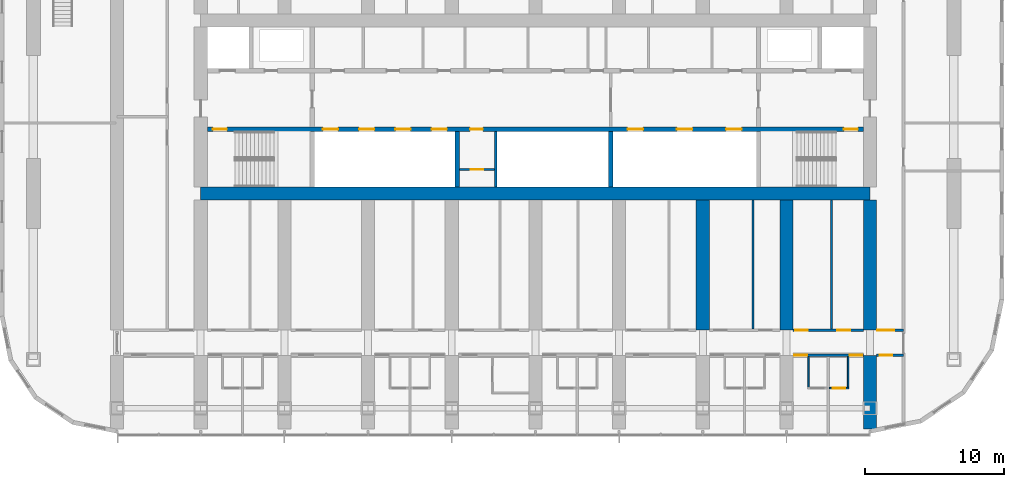
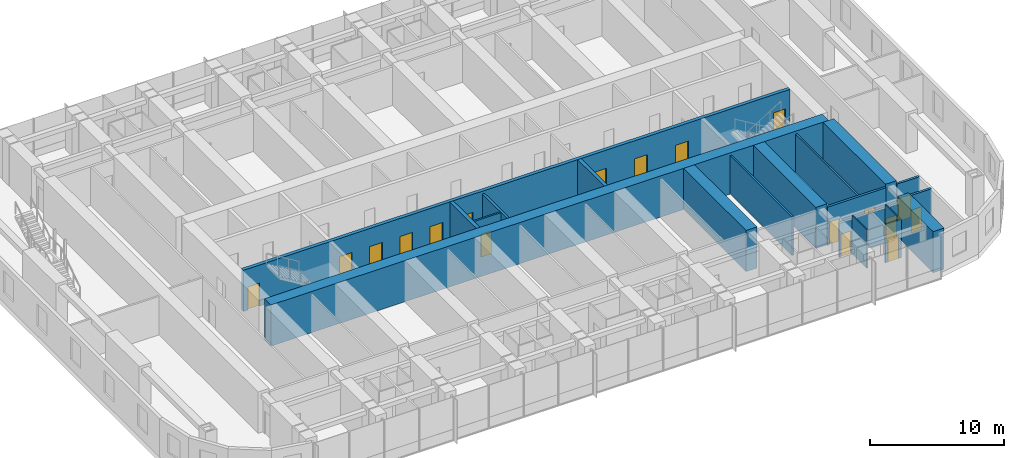
# One storey, part 13 of 25: 19 walls, 18 doors, 18 openings.
"""IFC4 building model written with IfcOpenShell, lengths in metres."""

from ifc_helpers import new_model, si_unit, direction, frame, frame_2d, origin, place, context, subcontext, project, spatial, polyline, rectangle, outline, extrude, material, layer, layer_set, type_object, element, fill, save


model = new_model("IFC4")

# Units and contexts
model_context = context("Model", 3, precision=1e-05, world=origin(), true_north=direction((0.0, 1.0)))
body_context = subcontext(model_context, "Body", "Model", "MODEL_VIEW")
ifc_project = project(units=[si_unit("LENGTHUNIT", "METRE"), si_unit("AREAUNIT", "SQUARE_METRE"), si_unit("VOLUMEUNIT", "CUBIC_METRE"), si_unit("PLANEANGLEUNIT", "RADIAN"), si_unit("MASSUNIT", "GRAM", prefix="KILO")], contexts=[model_context])

# Site, building, storey
site_placement = place(None, origin())
site = spatial("IfcSite", under=ifc_project, at=site_placement, CompositionType="ELEMENT")
building_placement = place(site_placement, origin())
building = spatial("IfcBuilding", under=site, at=building_placement, Name="Orbita Commons", CompositionType="ELEMENT")
storey_placement = place(building_placement, frame((0.0, 0.0, 99.39990234375)))
storey = spatial("IfcBuildingStorey", under=building, at=storey_placement, Name="L24", CompositionType="ELEMENT", Elevation=99.39990234375)

# Wall, openings, doors
ifc_material_1 = material(Name="Concrete C50/60", Category="concrete")
ifc_layer_1 = layer(ifc_material_1, 0.300048828125)
ifc_layer_set_1 = layer_set([ifc_layer_1], Name="Concrete C50/60")
wall_type_1 = type_object("IfcWallType", Name="Core inner wall 300 C50/60", PredefinedType="SHEAR", material=ifc_layer_set_1)
wall_1_placement = place(storey_placement, frame((18.47509765625, 30.39990234375, 0.0), z_axis=(0.0, 0.0, 1.0), x_axis=(1.0, 0.0, 0.0)))
wall_1 = element("IfcWall", 1, at=wall_1_placement, inside=storey, type_object=wall_type_1, Name="Lobby wall south L24", PredefinedType="SHEAR", context=body_context, shape_type="SweptSolid", body=[
    extrude(rectangle(XDim=47.0498046875, YDim=0.300048828125, at=frame_2d((23.52490234375, 0.0))), origin(), (0.0, 0.0, 1.0), 3.75),
])
opening_1_placement = place(wall_1_placement, frame((0.39990234375, 0.0, 0.0)))
opening_1 = element("IfcOpeningElement", 2, at=opening_1_placement, cuts=wall_1, Name="Opening D02", PredefinedType="OPENING", context=body_context, shape_type="SweptSolid", body=[
    extrude(rectangle(XDim=1.0, YDim=2.10009765625, at=frame_2d((0.5, 1.050048828125))), frame((0.0, 0.159912109375, 0.0), z_axis=(0.0, -1.0, 0.0), x_axis=(1.0, 0.0, 0.0)), (0.0, 0.0, 1.0), 0.320068359375),
])
opening_2_placement = place(wall_1_placement, frame((45.64990234375, 0.0, 0.0)))
opening_2 = element("IfcOpeningElement", 3, at=opening_2_placement, cuts=wall_1, Name="Opening D02", PredefinedType="OPENING", context=body_context, shape_type="SweptSolid", body=[
    extrude(rectangle(XDim=1.0, YDim=2.10009765625, at=frame_2d((0.5, 1.050048828125))), frame((0.0, 0.159912109375, 0.0), z_axis=(0.0, -1.0, 0.0), x_axis=(1.0, 0.0, 0.0)), (0.0, 0.0, 1.0), 0.320068359375),
])
opening_3_placement = place(wall_1_placement, frame((8.27490234375, 0.0, 0.0)))
opening_3 = element("IfcOpeningElement", 4, at=opening_3_placement, cuts=wall_1, Name="Opening LD02", PredefinedType="OPENING", context=body_context, shape_type="SweptSolid", body=[
    extrude(rectangle(XDim=1.10009765625, YDim=2.10009765625, at=frame_2d((0.550048828125, 1.050048828125))), frame((0.0, 0.159912109375, 0.0), z_axis=(0.0, -1.0, 0.0), x_axis=(1.0, 0.0, 0.0)), (0.0, 0.0, 1.0), 0.320068359375),
])
opening_4_placement = place(wall_1_placement, frame((10.875, 0.0, 0.0)))
opening_4 = element("IfcOpeningElement", 5, at=opening_4_placement, cuts=wall_1, Name="Opening LD02", PredefinedType="OPENING", context=body_context, shape_type="SweptSolid", body=[
    extrude(rectangle(XDim=1.10009765625, YDim=2.10009765625, at=frame_2d((0.550048828125, 1.050048828125))), frame((0.0, 0.159912109375, 0.0), z_axis=(0.0, -1.0, 0.0), x_axis=(1.0, 0.0, 0.0)), (0.0, 0.0, 1.0), 0.320068359375),
])
opening_5_placement = place(wall_1_placement, frame((13.47509765625, 0.0, 0.0)))
opening_5 = element("IfcOpeningElement", 6, at=opening_5_placement, cuts=wall_1, Name="Opening LD02", PredefinedType="OPENING", context=body_context, shape_type="SweptSolid", body=[
    extrude(rectangle(XDim=1.10009765625, YDim=2.10009765625, at=frame_2d((0.550048828125, 1.050048828125))), frame((0.0, 0.159912109375, 0.0), z_axis=(0.0, -1.0, 0.0), x_axis=(1.0, 0.0, 0.0)), (0.0, 0.0, 1.0), 0.320068359375),
])
opening_6_placement = place(wall_1_placement, frame((16.074951171875, 0.0, 0.0)))
opening_6 = element("IfcOpeningElement", 7, at=opening_6_placement, cuts=wall_1, Name="Opening LD02", PredefinedType="OPENING", context=body_context, shape_type="SweptSolid", body=[
    extrude(rectangle(XDim=1.10009765625, YDim=2.10009765625, at=frame_2d((0.550048828125, 1.050048828125))), frame((0.0, 0.159912109375, 0.0), z_axis=(0.0, -1.0, 0.0), x_axis=(1.0, 0.0, 0.0)), (0.0, 0.0, 1.0), 0.320068359375),
])
opening_7_placement = place(wall_1_placement, frame((18.85009765625, 0.0, 0.0)))
opening_7 = element("IfcOpeningElement", 8, at=opening_7_placement, cuts=wall_1, Name="Opening D05", PredefinedType="OPENING", context=body_context, shape_type="SweptSolid", body=[
    extrude(rectangle(XDim=0.89990234375, YDim=2.10009765625, at=frame_2d((0.449951171875, 1.050048828125))), frame((0.0, 0.159912109375, 0.0), z_axis=(0.0, -1.0, 0.0), x_axis=(1.0, 0.0, 0.0)), (0.0, 0.0, 1.0), 0.320068359375),
])
opening_8_placement = place(wall_1_placement, frame((30.1416015625, 0.0, 0.0)))
opening_8 = element("IfcOpeningElement", 9, at=opening_8_placement, cuts=wall_1, Name="Opening LD02", PredefinedType="OPENING", context=body_context, shape_type="SweptSolid", body=[
    extrude(rectangle(XDim=1.10009765625, YDim=2.10009765625, at=frame_2d((0.550048828125, 1.050048828125))), frame((0.0, 0.159912109375, 0.0), z_axis=(0.0, -1.0, 0.0), x_axis=(1.0, 0.0, 0.0)), (0.0, 0.0, 1.0), 0.320068359375),
])
opening_9_placement = place(wall_1_placement, frame((33.675048828125, 0.0, 0.0)))
opening_9 = element("IfcOpeningElement", 10, at=opening_9_placement, cuts=wall_1, Name="Opening LD02", PredefinedType="OPENING", context=body_context, shape_type="SweptSolid", body=[
    extrude(rectangle(XDim=1.10009765625, YDim=2.10009765625, at=frame_2d((0.550048828125, 1.050048828125))), frame((0.0, 0.159912109375, 0.0), z_axis=(0.0, -1.0, 0.0), x_axis=(1.0, 0.0, 0.0)), (0.0, 0.0, 1.0), 0.320068359375),
])
opening_10_placement = place(wall_1_placement, frame((37.208251953125, 0.0, 0.0)))
opening_10 = element("IfcOpeningElement", 11, at=opening_10_placement, cuts=wall_1, Name="Opening LD02", PredefinedType="OPENING", context=body_context, shape_type="SweptSolid", body=[
    extrude(rectangle(XDim=1.10009765625, YDim=2.10009765625, at=frame_2d((0.550048828125, 1.050048828125))), frame((0.0, 0.159912109375, 0.0), z_axis=(0.0, -1.0, 0.0), x_axis=(1.0, 0.0, 0.0)), (0.0, 0.0, 1.0), 0.320068359375),
])
ifc_material_2 = material(Name="Steel-faced fire door leaf", Category="steel")
door_type_1 = type_object("IfcDoorType", Name="Fire door 90 min 1000x2100", OperationType="SINGLE_SWING_LEFT", PredefinedType="DOOR", material=ifc_material_2)
door_1_placement = place(opening_1_placement, origin())
door_1 = element("IfcDoor", 12, at=door_1_placement, inside=storey, type_object=door_type_1, Name="Stair S1 door", OperationType="SINGLE_SWING_LEFT", OverallHeight=2.10009765625, OverallWidth=1.0, PredefinedType="DOOR", context=body_context, shape_type="SweptSolid", body=[
    extrude(rectangle(XDim=1.0, YDim=2.10009765625, at=frame_2d((0.5, 1.050048828125))), frame((0.0, 0.02490234375, 0.0), z_axis=(0.0, -1.0, 0.0), x_axis=(1.0, 0.0, 0.0)), (0.0, 0.0, 1.0), 0.050048828125),
])
fill(opening_1, door_1)
door_2_placement = place(opening_2_placement, origin())
door_2 = element("IfcDoor", 13, at=door_2_placement, inside=storey, type_object=door_type_1, Name="Stair S2 door", OperationType="SINGLE_SWING_LEFT", OverallHeight=2.10009765625, OverallWidth=1.0, PredefinedType="DOOR", context=body_context, shape_type="SweptSolid", body=[
    extrude(rectangle(XDim=1.0, YDim=2.10009765625, at=frame_2d((0.5, 1.050048828125))), frame((0.0, 0.02490234375, 0.0), z_axis=(0.0, -1.0, 0.0), x_axis=(1.0, 0.0, 0.0)), (0.0, 0.0, 1.0), 0.050048828125),
])
fill(opening_2, door_2)
ifc_material_3 = material(Name="Steel-faced fire door leaf", Category="steel")
door_type_2 = type_object("IfcDoorType", Name="Lift landing door 1100x2100", OperationType="DOUBLE_DOOR_SLIDING", PredefinedType="DOOR", material=ifc_material_3)
door_3_placement = place(opening_3_placement, origin())
door_3 = element("IfcDoor", 14, at=door_3_placement, inside=storey, type_object=door_type_2, Name="Lift P21 landing door", OperationType="DOUBLE_DOOR_SLIDING", OverallHeight=2.10009765625, OverallWidth=1.10009765625, PredefinedType="DOOR", context=body_context, shape_type="SweptSolid", body=[
    extrude(rectangle(XDim=1.10009765625, YDim=2.10009765625, at=frame_2d((0.550048828125, 1.050048828125))), frame((0.0, 0.02490234375, 0.0), z_axis=(0.0, -1.0, 0.0), x_axis=(1.0, 0.0, 0.0)), (0.0, 0.0, 1.0), 0.050048828125),
])
fill(opening_3, door_3)
door_4_placement = place(opening_4_placement, origin())
door_4 = element("IfcDoor", 15, at=door_4_placement, inside=storey, type_object=door_type_2, Name="Lift P22 landing door", OperationType="DOUBLE_DOOR_SLIDING", OverallHeight=2.10009765625, OverallWidth=1.10009765625, PredefinedType="DOOR", context=body_context, shape_type="SweptSolid", body=[
    extrude(rectangle(XDim=1.10009765625, YDim=2.10009765625, at=frame_2d((0.550048828125, 1.050048828125))), frame((0.0, 0.02490234375, 0.0), z_axis=(0.0, -1.0, 0.0), x_axis=(1.0, 0.0, 0.0)), (0.0, 0.0, 1.0), 0.050048828125),
])
fill(opening_4, door_4)
door_5_placement = place(opening_5_placement, origin())
door_5 = element("IfcDoor", 16, at=door_5_placement, inside=storey, type_object=door_type_2, Name="Lift P23 landing door", OperationType="DOUBLE_DOOR_SLIDING", OverallHeight=2.10009765625, OverallWidth=1.10009765625, PredefinedType="DOOR", context=body_context, shape_type="SweptSolid", body=[
    extrude(rectangle(XDim=1.10009765625, YDim=2.10009765625, at=frame_2d((0.550048828125, 1.050048828125))), frame((0.0, 0.02490234375, 0.0), z_axis=(0.0, -1.0, 0.0), x_axis=(1.0, 0.0, 0.0)), (0.0, 0.0, 1.0), 0.050048828125),
])
fill(opening_5, door_5)
door_6_placement = place(opening_6_placement, origin())
door_6 = element("IfcDoor", 17, at=door_6_placement, inside=storey, type_object=door_type_2, Name="Lift P24 landing door", OperationType="DOUBLE_DOOR_SLIDING", OverallHeight=2.10009765625, OverallWidth=1.10009765625, PredefinedType="DOOR", context=body_context, shape_type="SweptSolid", body=[
    extrude(rectangle(XDim=1.10009765625, YDim=2.10009765625, at=frame_2d((0.550048828125, 1.050048828125))), frame((0.0, 0.02490234375, 0.0), z_axis=(0.0, -1.0, 0.0), x_axis=(1.0, 0.0, 0.0)), (0.0, 0.0, 1.0), 0.050048828125),
])
fill(opening_6, door_6)
door_7_placement = place(opening_8_placement, origin())
door_7 = element("IfcDoor", 18, at=door_7_placement, inside=storey, type_object=door_type_2, Name="Lift SV1 landing door", OperationType="DOUBLE_DOOR_SLIDING", OverallHeight=2.10009765625, OverallWidth=1.10009765625, PredefinedType="DOOR", context=body_context, shape_type="SweptSolid", body=[
    extrude(rectangle(XDim=1.10009765625, YDim=2.10009765625, at=frame_2d((0.550048828125, 1.050048828125))), frame((0.0, 0.02490234375, 0.0), z_axis=(0.0, -1.0, 0.0), x_axis=(1.0, 0.0, 0.0)), (0.0, 0.0, 1.0), 0.050048828125),
])
fill(opening_8, door_7)
door_8_placement = place(opening_9_placement, origin())
door_8 = element("IfcDoor", 19, at=door_8_placement, inside=storey, type_object=door_type_2, Name="Lift SV2 landing door", OperationType="DOUBLE_DOOR_SLIDING", OverallHeight=2.10009765625, OverallWidth=1.10009765625, PredefinedType="DOOR", context=body_context, shape_type="SweptSolid", body=[
    extrude(rectangle(XDim=1.10009765625, YDim=2.10009765625, at=frame_2d((0.550048828125, 1.050048828125))), frame((0.0, 0.02490234375, 0.0), z_axis=(0.0, -1.0, 0.0), x_axis=(1.0, 0.0, 0.0)), (0.0, 0.0, 1.0), 0.050048828125),
])
fill(opening_9, door_8)
door_9_placement = place(opening_10_placement, origin())
door_9 = element("IfcDoor", 20, at=door_9_placement, inside=storey, type_object=door_type_2, Name="Lift SV3 landing door", OperationType="DOUBLE_DOOR_SLIDING", OverallHeight=2.10009765625, OverallWidth=1.10009765625, PredefinedType="DOOR", context=body_context, shape_type="SweptSolid", body=[
    extrude(rectangle(XDim=1.10009765625, YDim=2.10009765625, at=frame_2d((0.550048828125, 1.050048828125))), frame((0.0, 0.02490234375, 0.0), z_axis=(0.0, -1.0, 0.0), x_axis=(1.0, 0.0, 0.0)), (0.0, 0.0, 1.0), 0.050048828125),
])
fill(opening_10, door_9)
ifc_material_4 = material(Name="Steel-faced fire door leaf", Category="steel")
door_type_3 = type_object("IfcDoorType", Name="Service door 20 min 900x2100", OperationType="SINGLE_SWING_LEFT", PredefinedType="DOOR", material=ifc_material_4)
door_10_placement = place(opening_7_placement, origin())
door_10 = element("IfcDoor", 21, at=door_10_placement, inside=storey, type_object=door_type_3, Name="Telecoms room door", OperationType="SINGLE_SWING_LEFT", OverallHeight=2.10009765625, OverallWidth=0.89990234375, PredefinedType="DOOR", context=body_context, shape_type="SweptSolid", body=[
    extrude(rectangle(XDim=0.89990234375, YDim=2.10009765625, at=frame_2d((0.449951171875, 1.050048828125))), frame((0.0, 0.02490234375, 0.0), z_axis=(0.0, -1.0, 0.0), x_axis=(1.0, 0.0, 0.0)), (0.0, 0.0, 1.0), 0.050048828125),
])
fill(opening_7, door_10)

# Walls
for number, where, z_axis, x_axis, name in (
    (22, (36.39990234375, 26.27490234375, 0.0), (0.0, 0.0, 1.0), (0.0, 1.0, 0.0), "Hoistway division wall L24"),
    (23, (47.39990234375, 26.27490234375, 0.0), (0.0, 0.0, 1.0), (0.0, 1.0, 0.0), "Hoistway division wall L24"),
):
    element("IfcWall", number, at=place(storey_placement, frame(where, z_axis=z_axis, x_axis=x_axis)), inside=storey, type_object=wall_type_1, Name=name, PredefinedType="SHEAR", context=body_context, shape_type="SweptSolid", body=[
        extrude(rectangle(XDim=3.97509765625, YDim=0.300048828125, at=frame_2d((1.987548828125, 0.0))), origin(), (0.0, 0.0, 1.0), 3.75),
    ])

# Wall, opening, door
ifc_material_5 = material(Name="Concrete blockwork", Category="masonry")
ifc_layer_2 = layer(ifc_material_5, 0.14990234375)
ifc_layer_set_2 = layer_set([ifc_layer_2], Name="Concrete blockwork")
wall_type_2 = type_object("IfcWallType", Name="Core partition 150 blockwork", PredefinedType="SOLIDWALL", material=ifc_layer_set_2)
wall_2_placement = place(storey_placement, frame((36.550048828125, 27.52490234375, 0.0), z_axis=(0.0, 0.0, 1.0), x_axis=(1.0, 0.0, 0.0)))
wall_2 = element("IfcWall", 24, at=wall_2_placement, inside=storey, type_object=wall_type_2, Name="Core partition 150 blockwork L24", PredefinedType="SOLIDWALL", context=body_context, shape_type="SweptSolid", body=[
    extrude(rectangle(XDim=2.5, YDim=0.14990234375, at=frame_2d((1.25, 0.0))), origin(), (0.0, 0.0, 1.0), 3.5),
])
opening_11_placement = place(wall_2_placement, frame((0.800048828125, 0.0, 0.0)))
opening_11 = element("IfcOpeningElement", 25, at=opening_11_placement, cuts=wall_2, Name="Opening D05", PredefinedType="OPENING", context=body_context, shape_type="SweptSolid", body=[
    extrude(rectangle(XDim=0.89990234375, YDim=2.10009765625, at=frame_2d((0.449951171875, 1.050048828125))), frame((0.0, 0.0849609375, 0.0), z_axis=(0.0, -1.0, 0.0), x_axis=(1.0, 0.0, 0.0)), (0.0, 0.0, 1.0), 0.169921875),
])
door_11_placement = place(opening_11_placement, origin())
door_11 = element("IfcDoor", 26, at=door_11_placement, inside=storey, type_object=door_type_3, Name="Cupboard door off Telecoms room", OperationType="SINGLE_SWING_LEFT", OverallHeight=2.10009765625, OverallWidth=0.89990234375, PredefinedType="DOOR", context=body_context, shape_type="SweptSolid", body=[
    extrude(rectangle(XDim=0.89990234375, YDim=2.10009765625, at=frame_2d((0.449951171875, 1.050048828125))), frame((0.0, 0.02490234375, 0.0), z_axis=(0.0, -1.0, 0.0), x_axis=(1.0, 0.0, 0.0)), (0.0, 0.0, 1.0), 0.050048828125),
])
fill(opening_11, door_11)

# Wall
ifc_material_6 = material(Name="Concrete C50/60", Category="concrete")
ifc_layer_3 = layer(ifc_material_6, 0.949951171875)
ifc_layer_set_3 = layer_set([ifc_layer_3], Name="Concrete C50/60")
wall_type_3 = type_object("IfcWallType", Name="Core wall 950 C50/60", PredefinedType="SHEAR", material=ifc_layer_set_3)
wall_3_placement = place(storey_placement, frame((18.0, 25.800048828125, 0.0), z_axis=(0.0, 0.0, 1.0), x_axis=(1.0, 0.0, 0.0)))
element("IfcWall", 27, at=wall_3_placement, inside=storey, type_object=wall_type_3, Name="Core spine wall south L24", PredefinedType="SHEAR", context=body_context, shape_type="SweptSolid", body=[
    extrude(rectangle(XDim=48.0, YDim=0.949951171875, at=frame_2d((24.0, 0.0))), origin(), (0.0, 0.0, 1.0), 3.75),
])

# Wall, openings, doors
ifc_material_7 = material(Name="Concrete blockwork", Category="masonry")
ifc_layer_4 = layer(ifc_material_7, 0.199951171875)
ifc_layer_set_4 = layer_set([ifc_layer_4], Name="Concrete blockwork")
wall_type_4 = type_object("IfcWallType", Name="Corridor wall 200 blockwork", PredefinedType="SOLIDWALL", material=ifc_layer_set_4)
wall_4_placement = place(storey_placement, frame((60.47509765625, 14.199951171875, 0.0), z_axis=(0.0, 0.0, 1.0), x_axis=(1.0, 0.0, 0.0)))
wall_4 = element("IfcWall", 28, at=wall_4_placement, inside=storey, type_object=wall_type_4, Name="Corridor wall 200 blockwork L24", PredefinedType="SOLIDWALL", context=body_context, shape_type="SweptSolid", body=[
    extrude(outline(polyline([(0.0, 0.0), (5.0498046875, 0.0), (5.050048828125, 3.10009765625), (0.0, 3.10009765625), (0.0, 0.0)])), frame((0.0, 0.10009765625, 0.0), z_axis=(0.0, -1.0, 0.0), x_axis=(1.0, 0.0, 0.0)), (0.0, 0.0, 1.0), 0.199951171875),
])
opening_12_placement = place(wall_4_placement, frame((0.10009765625, 0.0, 0.0)))
opening_12 = element("IfcOpeningElement", 29, at=opening_12_placement, cuts=wall_4, Name="Opening D11", PredefinedType="OPENING", context=body_context, shape_type="SweptSolid", body=[
    extrude(rectangle(XDim=0.89990234375, YDim=2.10009765625, at=frame_2d((0.449951171875, 1.050048828125))), frame((0.0, 0.10986328125, 0.0), z_axis=(0.0, -1.0, 0.0), x_axis=(1.0, 0.0, 0.0)), (0.0, 0.0, 1.0), 0.219970703125),
])
opening_13_placement = place(wall_4_placement, frame((4.050048828125, 0.0, 0.0)))
opening_13 = element("IfcOpeningElement", 30, at=opening_13_placement, cuts=wall_4, Name="Opening D11", PredefinedType="OPENING", context=body_context, shape_type="SweptSolid", body=[
    extrude(rectangle(XDim=0.89990234375, YDim=2.10009765625, at=frame_2d((0.449951171875, 1.050048828125))), frame((0.0, 0.10986328125, 0.0), z_axis=(0.0, -1.0, 0.0), x_axis=(1.0, 0.0, 0.0)), (0.0, 0.0, 1.0), 0.219970703125),
])
ifc_material_8 = material(Name="Steel-faced fire door leaf", Category="steel")
door_type_4 = type_object("IfcDoorType", Name="Corridor door 20 min 900x2100", OperationType="SINGLE_SWING_LEFT", PredefinedType="DOOR", material=ifc_material_8)
door_12_placement = place(opening_12_placement, origin())
door_12 = element("IfcDoor", 31, at=door_12_placement, inside=storey, type_object=door_type_4, Name="Cluster bedroom L24-S16 door", OperationType="SINGLE_SWING_LEFT", OverallHeight=2.10009765625, OverallWidth=0.89990234375, PredefinedType="DOOR", context=body_context, shape_type="SweptSolid", body=[
    extrude(rectangle(XDim=0.89990234375, YDim=2.10009765625, at=frame_2d((0.449951171875, 1.050048828125))), frame((0.0, 0.02490234375, 0.0), z_axis=(0.0, -1.0, 0.0), x_axis=(1.0, 0.0, 0.0)), (0.0, 0.0, 1.0), 0.050048828125),
])
fill(opening_12, door_12)
door_13_placement = place(opening_13_placement, origin())
door_13 = element("IfcDoor", 32, at=door_13_placement, inside=storey, type_object=door_type_4, Name="Cluster bedroom L24-S17 door", OperationType="SINGLE_SWING_LEFT", OverallHeight=2.10009765625, OverallWidth=0.89990234375, PredefinedType="DOOR", context=body_context, shape_type="SweptSolid", body=[
    extrude(rectangle(XDim=0.89990234375, YDim=2.10009765625, at=frame_2d((0.449951171875, 1.050048828125))), frame((0.0, 0.02490234375, 0.0), z_axis=(0.0, -1.0, 0.0), x_axis=(1.0, 0.0, 0.0)), (0.0, 0.0, 1.0), 0.050048828125),
])
fill(opening_13, door_13)

# Wall, opening, door
wall_5_placement = place(storey_placement, frame((66.47509765625, 14.199951171875, 0.0), z_axis=(0.0, 0.0, 1.0), x_axis=(1.0, 0.0, 0.0)))
wall_5 = element("IfcWall", 33, at=wall_5_placement, inside=storey, type_object=wall_type_4, Name="Corridor wall 200 blockwork L24", PredefinedType="SOLIDWALL", context=body_context, shape_type="SweptSolid", body=[
    extrude(rectangle(XDim=1.9248046875, YDim=0.199951171875, at=frame_2d((0.96240234375, 0.0))), origin(), (0.0, 0.0, 1.0), 3.5),
])
opening_14_placement = place(wall_5_placement, frame((0.199951171875, 0.0, 0.0)))
opening_14 = element("IfcOpeningElement", 34, at=opening_14_placement, cuts=wall_5, Name="Opening D05", PredefinedType="OPENING", context=body_context, shape_type="SweptSolid", body=[
    extrude(rectangle(XDim=0.89990234375, YDim=2.10009765625, at=frame_2d((0.449951171875, 1.050048828125))), frame((0.0, 0.10986328125, 0.0), z_axis=(0.0, -1.0, 0.0), x_axis=(1.0, 0.0, 0.0)), (0.0, 0.0, 1.0), 0.219970703125),
])
door_14_placement = place(opening_14_placement, origin())
door_14 = element("IfcDoor", 35, at=door_14_placement, inside=storey, type_object=door_type_3, Name="Linen store L24-KES door", OperationType="SINGLE_SWING_LEFT", OverallHeight=2.10009765625, OverallWidth=0.89990234375, PredefinedType="DOOR", context=body_context, shape_type="SweptSolid", body=[
    extrude(rectangle(XDim=0.89990234375, YDim=2.10009765625, at=frame_2d((0.449951171875, 1.050048828125))), frame((0.0, 0.02490234375, 0.0), z_axis=(0.0, -1.0, 0.0), x_axis=(1.0, 0.0, 0.0)), (0.0, 0.0, 1.0), 0.050048828125),
])
fill(opening_14, door_14)

# Wall, openings, doors
ifc_material_9 = material(Name="Hollow concrete block 200", Category="concrete")
ifc_layer_5 = layer(ifc_material_9, 0.199951171875)
ifc_layer_set_5 = layer_set([ifc_layer_5], Name="Hollow concrete block 200")
wall_type_5 = type_object("IfcWallType", Name="Corridor wall 200 hollow concrete block", PredefinedType="SOLIDWALL", material=ifc_layer_set_5)
wall_6_placement = place(storey_placement, frame((60.47509765625, 16.0, 0.0), z_axis=(0.0, 0.0, 1.0), x_axis=(1.0, 0.0, 0.0)))
wall_6 = element("IfcWall", 36, at=wall_6_placement, inside=storey, type_object=wall_type_5, Name="Corridor wall 200 hollow concrete block L24", PredefinedType="SOLIDWALL", context=body_context, shape_type="SweptSolid", body=[
    extrude(rectangle(XDim=5.0498046875, YDim=0.199951171875, at=frame_2d((2.52490234375, 0.0))), origin(), (0.0, 0.0, 1.0), 3.5),
])
opening_15_placement = place(wall_6_placement, frame((0.14990234375, 0.0, 0.0)))
opening_15 = element("IfcOpeningElement", 37, at=opening_15_placement, cuts=wall_6, Name="Opening D11", PredefinedType="OPENING", context=body_context, shape_type="SweptSolid", body=[
    extrude(rectangle(XDim=0.89990234375, YDim=2.10009765625, at=frame_2d((0.449951171875, 1.050048828125))), frame((0.0, 0.10986328125, 0.0), z_axis=(0.0, -1.0, 0.0), x_axis=(1.0, 0.0, 0.0)), (0.0, 0.0, 1.0), 0.219970703125),
])
opening_16_placement = place(wall_6_placement, frame((3.18505859375, 0.0, 0.0)))
opening_16 = element("IfcOpeningElement", 38, at=opening_16_placement, cuts=wall_6, Name="Opening D11", PredefinedType="OPENING", context=body_context, shape_type="SweptSolid", body=[
    extrude(rectangle(XDim=0.89990234375, YDim=2.10009765625, at=frame_2d((0.449951171875, 1.050048828125))), frame((0.0, 0.10986328125, 0.0), z_axis=(0.0, -1.0, 0.0), x_axis=(1.0, 0.0, 0.0)), (0.0, 0.0, 1.0), 0.219970703125),
])
door_15_placement = place(opening_15_placement, origin())
door_15 = element("IfcDoor", 39, at=door_15_placement, inside=storey, type_object=door_type_4, Name="Bulk and luggage store L24-BDS60 door", OperationType="SINGLE_SWING_LEFT", OverallHeight=2.10009765625, OverallWidth=0.89990234375, PredefinedType="DOOR", context=body_context, shape_type="SweptSolid", body=[
    extrude(rectangle(XDim=0.89990234375, YDim=2.10009765625, at=frame_2d((0.449951171875, 1.050048828125))), frame((0.0, 0.02490234375, 0.0), z_axis=(0.0, -1.0, 0.0), x_axis=(1.0, 0.0, 0.0)), (0.0, 0.0, 1.0), 0.050048828125),
])
fill(opening_15, door_15)
door_16_placement = place(opening_16_placement, origin())
door_16 = element("IfcDoor", 40, at=door_16_placement, inside=storey, type_object=door_type_4, Name="Sprinkler valve room L24-BDS60n door", OperationType="SINGLE_SWING_LEFT", OverallHeight=2.10009765625, OverallWidth=0.89990234375, PredefinedType="DOOR", context=body_context, shape_type="SweptSolid", body=[
    extrude(rectangle(XDim=0.89990234375, YDim=2.10009765625, at=frame_2d((0.449951171875, 1.050048828125))), frame((0.0, 0.02490234375, 0.0), z_axis=(0.0, -1.0, 0.0), x_axis=(1.0, 0.0, 0.0)), (0.0, 0.0, 1.0), 0.050048828125),
])
fill(opening_16, door_16)

# Wall, opening, door
wall_7_placement = place(storey_placement, frame((66.47509765625, 16.0, 0.0), z_axis=(0.0, 0.0, 1.0), x_axis=(1.0, 0.0, 0.0)))
wall_7 = element("IfcWall", 41, at=wall_7_placement, inside=storey, type_object=wall_type_5, Name="Corridor wall 200 hollow concrete block L24", PredefinedType="SOLIDWALL", context=body_context, shape_type="SweptSolid", body=[
    extrude(rectangle(XDim=1.9248046875, YDim=0.199951171875, at=frame_2d((0.96240234375, 0.0))), origin(), (0.0, 0.0, 1.0), 3.5),
])
opening_17_placement = place(wall_7_placement, frame((0.050048828125, 0.0, 0.0)))
opening_17 = element("IfcOpeningElement", 42, at=opening_17_placement, cuts=wall_7, Name="Opening D12", PredefinedType="OPENING", context=body_context, shape_type="SweptSolid", body=[
    extrude(rectangle(XDim=1.199951171875, YDim=2.10009765625, at=frame_2d((0.60009765625, 1.050048828125))), frame((0.0, 0.10986328125, 0.0), z_axis=(0.0, -1.0, 0.0), x_axis=(1.0, 0.0, 0.0)), (0.0, 0.0, 1.0), 0.219970703125),
])
ifc_material_10 = material(Name="Steel-faced fire door leaf", Category="steel")
door_type_5 = type_object("IfcDoorType", Name="Double corridor door 20 min 1200x2100", OperationType="DOUBLE_DOOR_SINGLE_SWING", PredefinedType="DOOR", material=ifc_material_10)
door_17_placement = place(opening_17_placement, origin())
door_17 = element("IfcDoor", 43, at=door_17_placement, inside=storey, type_object=door_type_5, Name="Cross corridor doors", OperationType="DOUBLE_DOOR_SINGLE_SWING", OverallHeight=2.10009765625, OverallWidth=1.199951171875, PredefinedType="DOOR", context=body_context, shape_type="SweptSolid", body=[
    extrude(rectangle(XDim=1.199951171875, YDim=2.10009765625, at=frame_2d((0.60009765625, 1.050048828125))), frame((0.0, 0.02490234375, 0.0), z_axis=(0.0, -1.0, 0.0), x_axis=(1.0, 0.0, 0.0)), (0.0, 0.0, 1.0), 0.050048828125),
])
fill(opening_17, door_17)

# Walls
ifc_material_11 = material(Name="Concrete C50/60", Category="concrete")
ifc_layer_6 = layer(ifc_material_11, 0.949951171875)
ifc_layer_set_6 = layer_set([ifc_layer_6], Name="Concrete C50/60")
wall_type_6 = type_object("IfcWallType", Name="Cross wall 950 C50/60", PredefinedType="SHEAR", material=ifc_layer_set_6)
for number, where, z_axis, x_axis, name in (
    (44, (54.0, 16.0, 0.0), (0.0, 0.0, 1.0), (0.0, 1.0, 0.0), "Cross wall 10 south inner L24"),
    (45, (60.0, 16.0, 0.0), (0.0, 0.0, 1.0), (0.0, 1.0, 0.0), "Cross wall 11 south inner L24"),
):
    element("IfcWall", number, at=place(storey_placement, frame(where, z_axis=z_axis, x_axis=x_axis)), inside=storey, type_object=wall_type_6, Name=name, PredefinedType="SHEAR", context=body_context, shape_type="SweptSolid", body=[
        extrude(rectangle(XDim=9.324951171875, YDim=0.949951171875, at=frame_2d((4.66259765625, 0.0))), origin(), (0.0, 0.0, 1.0), 3.75),
    ])
wall_8_placement = place(storey_placement, frame((66.0, 8.89990234375, 0.0), z_axis=(0.0, 0.0, 1.0), x_axis=(0.0, 1.0, 0.0)))
element("IfcWall", 46, at=wall_8_placement, inside=storey, type_object=wall_type_6, Name="Cross wall 12 south outer L24", PredefinedType="SHEAR", context=body_context, shape_type="SweptSolid", body=[
    extrude(rectangle(XDim=5.300048828125, YDim=0.949951171875, at=frame_2d((2.64990234375, 0.0))), origin(), (0.0, 0.0, 1.0), 3.75),
])
wall_9_placement = place(storey_placement, frame((66.0, 16.0, 0.0), z_axis=(0.0, 0.0, 1.0), x_axis=(0.0, 1.0, 0.0)))
element("IfcWall", 47, at=wall_9_placement, inside=storey, type_object=wall_type_6, Name="Cross wall 12 south inner L24", PredefinedType="SHEAR", context=body_context, shape_type="SweptSolid", body=[
    extrude(rectangle(XDim=9.324951171875, YDim=0.949951171875, at=frame_2d((4.66259765625, 0.0))), origin(), (0.0, 0.0, 1.0), 3.75),
])
ifc_material_12 = material(Name="Moisture-resistant plasterboard on steel studs", Category="steel")
ifc_layer_7 = layer(ifc_material_12, 0.10009765625)
ifc_layer_set_7 = layer_set([ifc_layer_7], Name="Moisture-resistant plasterboard on steel studs")
wall_type_7 = type_object("IfcWallType", Name="En-suite partition 100", PredefinedType="PARTITIONING", material=ifc_layer_set_7)
wall_10_placement = place(storey_placement, frame((61.574951171875, 11.890625, 0.0), z_axis=(0.0, 0.0, 1.0), x_axis=(0.0, 1.0, 0.0)))
element("IfcWall", 48, at=wall_10_placement, inside=storey, type_object=wall_type_7, Name="En-suite partition 100 L24", PredefinedType="PARTITIONING", context=body_context, shape_type="SweptSolid", body=[
    extrude(outline(polyline([(0.0, 0.0), (2.20947265625, 0.0), (2.209228515625, 3.10009765625), (2.161376953125, 3.10009765625), (2.1591796875, 3.5), (0.0, 3.5), (0.0, 0.0)])), frame((0.0, 0.050048828125, 0.0), z_axis=(0.0, -1.0, 0.0), x_axis=(1.0, 0.0, 0.0)), (0.0, 0.0, 1.0), 0.10009765625),
])

# Wall, opening, door
wall_11_placement = place(storey_placement, frame((64.47509765625, 11.8408203125, 0.0), z_axis=(0.0, 0.0, 1.0), x_axis=(-1.0, 0.0, 0.0)))
wall_11 = element("IfcWall", 49, at=wall_11_placement, inside=storey, type_object=wall_type_7, Name="En-suite partition 100 L24", PredefinedType="PARTITIONING", context=body_context, shape_type="SweptSolid", body=[
    extrude(rectangle(XDim=1.400146484375, YDim=0.10009765625, at=frame_2d((0.7001953125, 0.0))), origin(), (0.0, 0.0, 1.0), 3.5),
])
opening_18_placement = place(wall_11_placement, frame((0.25, 0.0, 0.0)))
opening_18 = element("IfcOpeningElement", 50, at=opening_18_placement, cuts=wall_11, Name="Opening D09", PredefinedType="OPENING", context=body_context, shape_type="SweptSolid", body=[
    extrude(rectangle(XDim=0.89990234375, YDim=2.10009765625, at=frame_2d((0.449951171875, 1.050048828125))), frame((0.0, 0.06005859375, 0.0), z_axis=(0.0, -1.0, 0.0), x_axis=(1.0, 0.0, 0.0)), (0.0, 0.0, 1.0), 0.1201171875),
])
ifc_material_13 = material(Name="Laminated timber door leaf", Category="wood")
door_type_6 = type_object("IfcDoorType", Name="En-suite door 900x2100", OperationType="SINGLE_SWING_RIGHT", PredefinedType="DOOR", material=ifc_material_13)
door_18_placement = place(opening_18_placement, origin())
door_18 = element("IfcDoor", 51, at=door_18_placement, inside=storey, type_object=door_type_6, Name="En-suite L24-S17 door", OperationType="SINGLE_SWING_RIGHT", OverallHeight=2.10009765625, OverallWidth=0.89990234375, PredefinedType="DOOR", context=body_context, shape_type="SweptSolid", body=[
    extrude(rectangle(XDim=0.89990234375, YDim=2.10009765625, at=frame_2d((0.449951171875, 1.050048828125))), frame((0.0, 0.02490234375, 0.0), z_axis=(0.0, -1.0, 0.0), x_axis=(1.0, 0.0, 0.0)), (0.0, 0.0, 1.0), 0.050048828125),
])
fill(opening_18, door_18)

# Walls
wall_12_placement = place(storey_placement, frame((64.425048828125, 11.890625, 0.0), z_axis=(0.0, 0.0, 1.0), x_axis=(0.0, 1.0, 0.0)))
element("IfcWall", 52, at=wall_12_placement, inside=storey, type_object=wall_type_7, Name="En-suite partition 100 L24", PredefinedType="PARTITIONING", context=body_context, shape_type="SweptSolid", body=[
    extrude(outline(polyline([(0.0, 0.0), (2.20947265625, 0.0), (2.209228515625, 3.10009765625), (2.161376953125, 3.10009765625), (2.1591796875, 3.5), (0.0, 3.5), (0.0, 0.0)])), frame((0.0, 0.050048828125, 0.0), z_axis=(0.0, -1.0, 0.0), x_axis=(1.0, 0.0, 0.0)), (0.0, 0.0, 1.0), 0.10009765625),
])
ifc_material_14 = material(Name="Gypsum plasterboard on steel studs", Category="steel")
ifc_layer_8 = layer(ifc_material_14, 0.14990234375)
ifc_layer_set_8 = layer_set([ifc_layer_8], Name="Gypsum plasterboard on steel studs")
wall_type_8 = type_object("IfcWallType", Name="Partition 150 plasterboard", PredefinedType="PARTITIONING", material=ifc_layer_set_8)
for number, where, z_axis, x_axis, name in (
    (53, (57.614990234375, 16.10009765625, 0.0), (0.0, 0.0, 1.0), (0.0, 1.0, 0.0), "Partition 150 plasterboard L24"),
    (54, (63.235107421875, 16.10009765625, 0.0), (0.0, 0.0, 1.0), (0.0, 1.0, 0.0), "Partition 150 plasterboard L24"),
):
    element("IfcWall", number, at=place(storey_placement, frame(where, z_axis=z_axis, x_axis=x_axis)), inside=storey, type_object=wall_type_8, Name=name, PredefinedType="PARTITIONING", context=body_context, shape_type="SweptSolid", body=[
        extrude(rectangle(XDim=9.224853515625, YDim=0.14990234375, at=frame_2d((4.6123046875, 0.0))), origin(), (0.0, 0.0, 1.0), 3.5),
    ])
ifc_material_15 = material(Name="Concrete blockwork, fully filled", Category="masonry")
ifc_layer_9 = layer(ifc_material_15, 0.199951171875)
ifc_layer_set_9 = layer_set([ifc_layer_9], Name="Concrete blockwork, fully filled")
wall_type_9 = type_object("IfcWallType", Name="Shaft partition 200 blockwork", PredefinedType="SOLIDWALL", material=ifc_layer_set_9)
wall_13_placement = place(storey_placement, frame((39.14990234375, 26.27490234375, 0.0), z_axis=(0.0, 0.0, 1.0), x_axis=(0.0, 1.0, 0.0)))
element("IfcWall", 55, at=wall_13_placement, inside=storey, type_object=wall_type_9, Name="Shaft partition 200 blockwork L24", PredefinedType="SOLIDWALL", context=body_context, shape_type="SweptSolid", body=[
    extrude(rectangle(XDim=3.97509765625, YDim=0.199951171875, at=frame_2d((1.987548828125, 0.0))), origin(), (0.0, 0.0, 1.0), 3.5),
])

save(model, "model.ifc")
